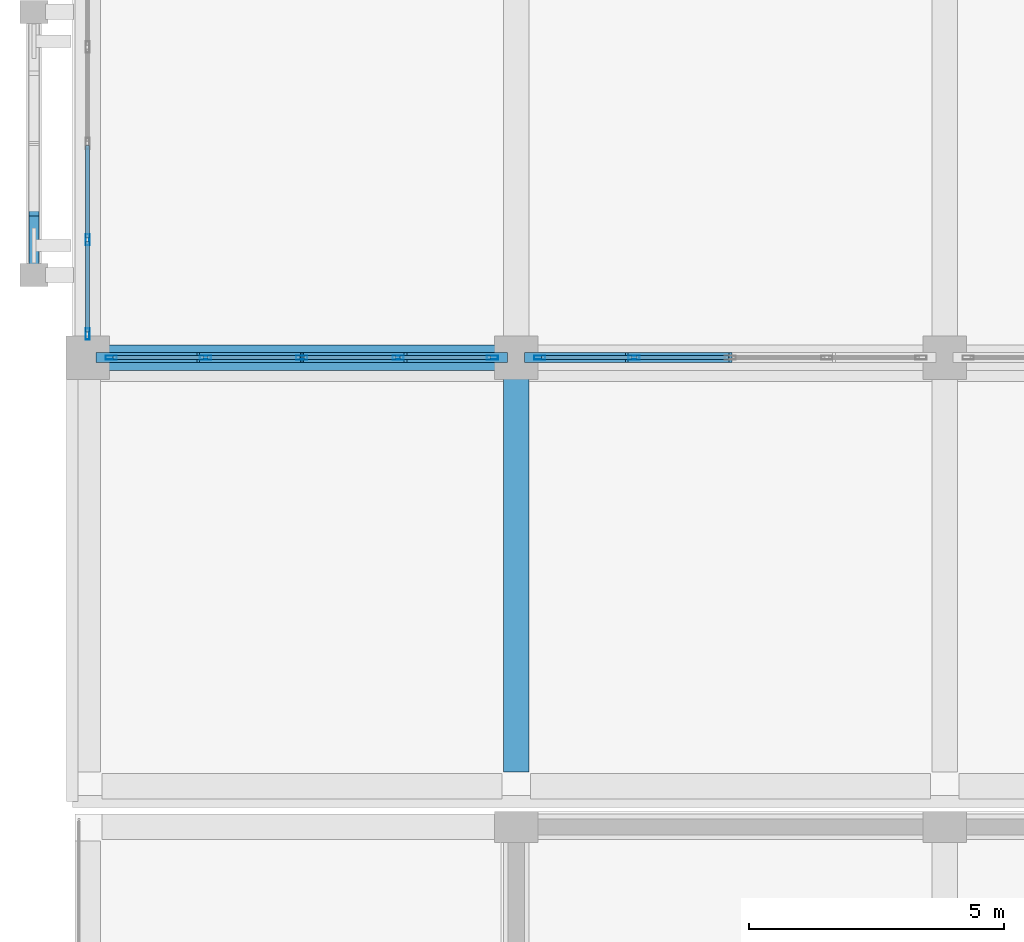
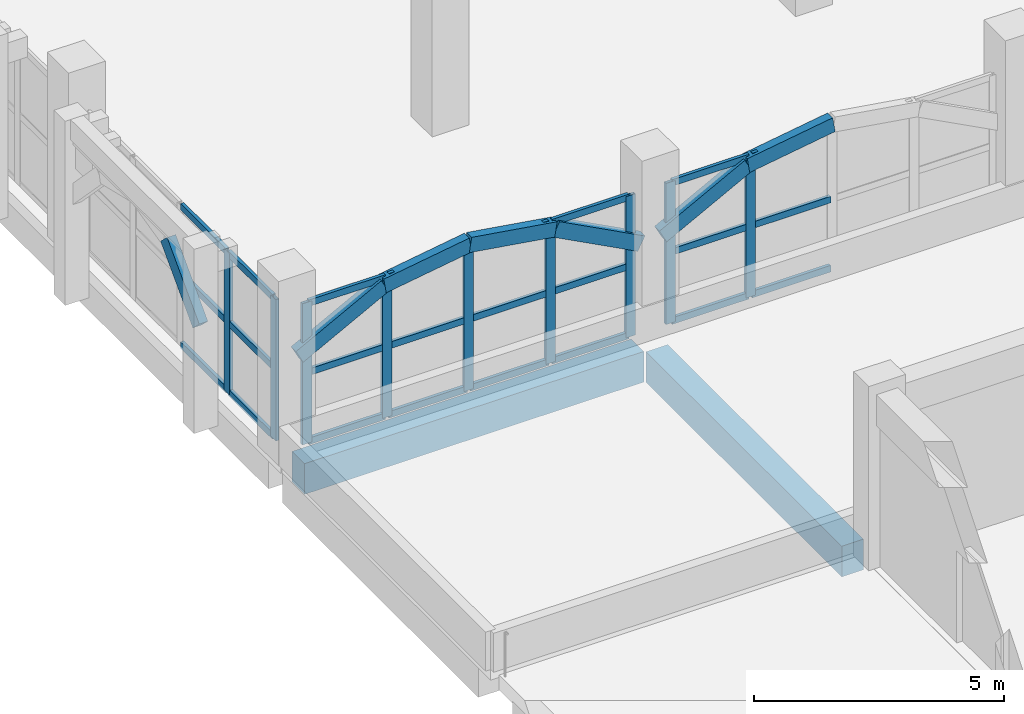
# One storey, part 14 of 129: 40 members, 2 beams, 3 elements without a shape of their own.
"""IFC4 building model written with IfcOpenShell, lengths in metres."""

from ifc_helpers import new_model, si_unit, direction, frame, origin, origin_2d, place, context, subcontext, project, spatial, rectangle, hollow_rectangle, extrude, material, layer, layer_set, material_profile, profile_set, type_object, element, aggregate, save


model = new_model("IFC4")

# Units and contexts
model_context = context("Model", 3, precision=1e-05, world=origin(), true_north=direction((0.0, 1.0)))
body_context = subcontext(model_context, "Body", "Model", "MODEL_VIEW")
ifc_project = project(units=[si_unit("LENGTHUNIT", "METRE"), si_unit("AREAUNIT", "SQUARE_METRE"), si_unit("VOLUMEUNIT", "CUBIC_METRE"), si_unit("PLANEANGLEUNIT", "RADIAN"), si_unit("MASSUNIT", "GRAM", prefix="KILO")], contexts=[model_context])

# Site, building, storey
site_placement = place(None, origin())
site = spatial("IfcSite", under=ifc_project, at=site_placement, CompositionType="ELEMENT")
building_placement = place(site_placement, origin())
building = spatial("IfcBuilding", under=site, at=building_placement, Name="Xazarin Passage Department Store", CompositionType="ELEMENT")
storey_placement = place(building_placement, frame((0.0, 0.0, 9.89990234375)))
storey = spatial("IfcBuildingStorey", under=building, at=storey_placement, Name="L02", CompositionType="ELEMENT", Elevation=9.89990234375)

# Curtain wall, members
ifc_material_1 = material(Name="Bronze anodised aluminium", Category="aluminium")
ifc_layer = layer(ifc_material_1, 0.199951171875)
ifc_layer_set = layer_set([ifc_layer], Name="Bronze anodised aluminium")
curtain_wall_type = type_object("IfcCurtainWallType", Name="ARC-CW-VIT2", PredefinedType="NOTDEFINED", material=ifc_layer_set)
curtain_wall_1_placement = place(storey_placement, origin())
curtain_wall_1 = element("IfcCurtainWall", 1, at=curtain_wall_1_placement, inside=storey, type_object=curtain_wall_type, Name="L02 V1 Curtain Wall 029", PredefinedType="NOTDEFINED")
ifc_material_profile_1 = material_profile(ifc_material_1, hollow_rectangle(XDim=0.074951171875, YDim=0.219970703125, WallThickness=0.0048828125, at=origin_2d()), Name="ALU 75x220")
ifc_profile_set_1 = profile_set([ifc_material_profile_1], Name="Bronze anodised aluminium")
member_type_1 = type_object("IfcMemberType", Name="ARC-CWM-75x220", PredefinedType="MULLION", material=ifc_profile_set_1)
member_1_placement = place(storey_placement, frame((0.46240234375, 59.60009765625, 0.0), z_axis=(0.0, 0.0, 1.0), x_axis=(0.0, 1.0, 0.0)))
member_1 = element("IfcMember", 2, at=member_1_placement, type_object=member_type_1, Name="CW2 mullion 1", PredefinedType="MULLION", context=body_context, shape_type="SweptSolid", body=[
    extrude(hollow_rectangle(XDim=0.074951171875, YDim=0.219970703125, WallThickness=0.0048828125, at=origin_2d()), origin(), (0.0, 0.0, 1.0), 3.4501953125),
])
member_2_placement = place(storey_placement, frame((2.3125, 59.60009765625, 0.0), z_axis=(0.0, 0.0, 1.0), x_axis=(0.0, 1.0, 0.0)))
member_2 = element("IfcMember", 3, at=member_2_placement, type_object=member_type_1, Name="CW2 mullion 2", PredefinedType="MULLION", context=body_context, shape_type="SweptSolid", body=[
    extrude(hollow_rectangle(XDim=0.074951171875, YDim=0.219970703125, WallThickness=0.0048828125, at=origin_2d()), origin(), (0.0, 0.0, 1.0), 3.4501953125),
])
member_3_placement = place(storey_placement, frame((4.199951171875, 59.60009765625, 0.0), z_axis=(0.0, 0.0, 1.0), x_axis=(0.0, 1.0, 0.0)))
member_3 = element("IfcMember", 4, at=member_3_placement, type_object=member_type_1, Name="CW2 mullion 3", PredefinedType="MULLION", context=body_context, shape_type="SweptSolid", body=[
    extrude(hollow_rectangle(XDim=0.074951171875, YDim=0.219970703125, WallThickness=0.0048828125, at=origin_2d()), origin(), (0.0, 0.0, 1.0), 3.4501953125),
])
member_4_placement = place(storey_placement, frame((6.08740234375, 59.60009765625, 0.0), z_axis=(0.0, 0.0, 1.0), x_axis=(0.0, 1.0, 0.0)))
member_4 = element("IfcMember", 5, at=member_4_placement, type_object=member_type_1, Name="CW2 mullion 4", PredefinedType="MULLION", context=body_context, shape_type="SweptSolid", body=[
    extrude(hollow_rectangle(XDim=0.074951171875, YDim=0.219970703125, WallThickness=0.0048828125, at=origin_2d()), origin(), (0.0, 0.0, 1.0), 3.4501953125),
])
member_5_placement = place(storey_placement, frame((7.9375, 59.60009765625, 0.0), z_axis=(0.0, 0.0, 1.0), x_axis=(0.0, 1.0, 0.0)))
member_5 = element("IfcMember", 6, at=member_5_placement, type_object=member_type_1, Name="CW2 mullion 5", PredefinedType="MULLION", context=body_context, shape_type="SweptSolid", body=[
    extrude(hollow_rectangle(XDim=0.074951171875, YDim=0.219970703125, WallThickness=0.0048828125, at=origin_2d()), origin(), (0.0, 0.0, 1.0), 3.4501953125),
])

curtain_wall_2_placement = place(storey_placement, origin())
curtain_wall_2 = element("IfcCurtainWall", 7, at=curtain_wall_2_placement, inside=storey, type_object=curtain_wall_type, Name="L02 V1 Curtain Wall 030", PredefinedType="NOTDEFINED")
member_6_placement = place(storey_placement, frame((8.862548828125, 59.60009765625, 0.0), z_axis=(0.0, 0.0, 1.0), x_axis=(0.0, 1.0, 0.0)))
member_6 = element("IfcMember", 8, at=member_6_placement, type_object=member_type_1, Name="CW2 mullion 1", PredefinedType="MULLION", context=body_context, shape_type="SweptSolid", body=[
    extrude(hollow_rectangle(XDim=0.074951171875, YDim=0.219970703125, WallThickness=0.0048828125, at=origin_2d()), origin(), (0.0, 0.0, 1.0), 3.4501953125),
])
member_7_placement = place(storey_placement, frame((10.71240234375, 59.60009765625, 0.0), z_axis=(0.0, 0.0, 1.0), x_axis=(0.0, 1.0, 0.0)))
member_7 = element("IfcMember", 9, at=member_7_placement, type_object=member_type_1, Name="CW2 mullion 2", PredefinedType="MULLION", context=body_context, shape_type="SweptSolid", body=[
    extrude(hollow_rectangle(XDim=0.074951171875, YDim=0.219970703125, WallThickness=0.0048828125, at=origin_2d()), origin(), (0.0, 0.0, 1.0), 3.4501953125),
])

curtain_wall_3_placement = place(storey_placement, origin())
curtain_wall_3 = element("IfcCurtainWall", 10, at=curtain_wall_3_placement, inside=storey, type_object=curtain_wall_type, Name="L02 V1 Curtain Wall 045", PredefinedType="NOTDEFINED")
member_8_placement = place(storey_placement, frame((0.0, 60.0625, 0.0), z_axis=(0.0, 0.0, 1.0), x_axis=(-1.0, 0.0, 0.0)))
member_8 = element("IfcMember", 11, at=member_8_placement, type_object=member_type_1, Name="CW2 mullion 1", PredefinedType="MULLION", context=body_context, shape_type="SweptSolid", body=[
    extrude(hollow_rectangle(XDim=0.074951171875, YDim=0.219970703125, WallThickness=0.0048828125, at=origin_2d()), origin(), (0.0, 0.0, 1.0), 3.4501953125),
])
member_9_placement = place(storey_placement, frame((0.0, 61.91259765625, 0.0), z_axis=(0.0, 0.0, 1.0), x_axis=(-1.0, 0.0, 0.0)))
member_9 = element("IfcMember", 12, at=member_9_placement, type_object=member_type_1, Name="CW2 mullion 2", PredefinedType="MULLION", context=body_context, shape_type="SweptSolid", body=[
    extrude(hollow_rectangle(XDim=0.074951171875, YDim=0.219970703125, WallThickness=0.0048828125, at=origin_2d()), origin(), (0.0, 0.0, 1.0), 3.4501953125),
])

# Member
ifc_material_profile_2 = material_profile(ifc_material_1, hollow_rectangle(XDim=0.074951171875, YDim=0.159912109375, WallThickness=0.00439453125, at=origin_2d()), Name="ALU 75x160")
ifc_profile_set_2 = profile_set([ifc_material_profile_2], Name="Bronze anodised aluminium")
member_type_2 = type_object("IfcMemberType", Name="ARC-CWT-75x160", PredefinedType="USERDEFINED", material=ifc_profile_set_2)
member_10_placement = place(storey_placement, frame((0.5, 59.60009765625, 0.03759765625), z_axis=(1.0, 0.0, 0.0), x_axis=(0.0, 1.0, 0.0)))
member_10 = element("IfcMember", 13, at=member_10_placement, type_object=member_type_2, Name="CW2 transom 1.1", ObjectType="TRANSOM", PredefinedType="USERDEFINED", context=body_context, shape_type="SweptSolid", body=[
    extrude(hollow_rectangle(XDim=0.074951171875, YDim=0.159912109375, WallThickness=0.00439453125, at=origin_2d()), origin(), (0.0, 0.0, 1.0), 1.77490234375),
])

member_11_placement = place(storey_placement, frame((0.5, 59.60009765625, 1.72509765625), z_axis=(1.0, 0.0, 0.0), x_axis=(0.0, 1.0, 0.0)))
member_11 = element("IfcMember", 14, at=member_11_placement, type_object=member_type_2, Name="CW2 transom 1.2", ObjectType="TRANSOM", PredefinedType="USERDEFINED", context=body_context, shape_type="SweptSolid", body=[
    extrude(hollow_rectangle(XDim=0.074951171875, YDim=0.159912109375, WallThickness=0.00439453125, at=origin_2d()), origin(), (0.0, 0.0, 1.0), 1.77490234375),
])

member_12_placement = place(storey_placement, frame((0.5, 59.60009765625, 3.41259765625), z_axis=(1.0, 0.0, 0.0), x_axis=(0.0, 1.0, 0.0)))
member_12 = element("IfcMember", 15, at=member_12_placement, type_object=member_type_2, Name="CW2 transom 1.3", ObjectType="TRANSOM", PredefinedType="USERDEFINED", context=body_context, shape_type="SweptSolid", body=[
    extrude(hollow_rectangle(XDim=0.074951171875, YDim=0.159912109375, WallThickness=0.00439453125, at=origin_2d()), origin(), (0.0, 0.0, 1.0), 1.77490234375),
])

member_13_placement = place(storey_placement, frame((2.35009765625, 59.60009765625, 0.03759765625), z_axis=(1.0, 0.0, 0.0), x_axis=(0.0, 1.0, 0.0)))
member_13 = element("IfcMember", 16, at=member_13_placement, type_object=member_type_2, Name="CW2 transom 2.1", ObjectType="TRANSOM", PredefinedType="USERDEFINED", context=body_context, shape_type="SweptSolid", body=[
    extrude(hollow_rectangle(XDim=0.074951171875, YDim=0.159912109375, WallThickness=0.00439453125, at=origin_2d()), origin(), (0.0, 0.0, 1.0), 1.8125),
])

member_14_placement = place(storey_placement, frame((2.35009765625, 59.60009765625, 1.72509765625), z_axis=(1.0, 0.0, 0.0), x_axis=(0.0, 1.0, 0.0)))
member_14 = element("IfcMember", 17, at=member_14_placement, type_object=member_type_2, Name="CW2 transom 2.2", ObjectType="TRANSOM", PredefinedType="USERDEFINED", context=body_context, shape_type="SweptSolid", body=[
    extrude(hollow_rectangle(XDim=0.074951171875, YDim=0.159912109375, WallThickness=0.00439453125, at=origin_2d()), origin(), (0.0, 0.0, 1.0), 1.8125),
])

member_15_placement = place(storey_placement, frame((2.35009765625, 59.60009765625, 3.41259765625), z_axis=(1.0, 0.0, 0.0), x_axis=(0.0, 1.0, 0.0)))
member_15 = element("IfcMember", 18, at=member_15_placement, type_object=member_type_2, Name="CW2 transom 2.3", ObjectType="TRANSOM", PredefinedType="USERDEFINED", context=body_context, shape_type="SweptSolid", body=[
    extrude(hollow_rectangle(XDim=0.074951171875, YDim=0.159912109375, WallThickness=0.00439453125, at=origin_2d()), origin(), (0.0, 0.0, 1.0), 1.8125),
])

member_16_placement = place(storey_placement, frame((4.237548828125, 59.60009765625, 0.03759765625), z_axis=(1.0, 0.0, 0.0), x_axis=(0.0, 1.0, 0.0)))
member_16 = element("IfcMember", 19, at=member_16_placement, type_object=member_type_2, Name="CW2 transom 3.1", ObjectType="TRANSOM", PredefinedType="USERDEFINED", context=body_context, shape_type="SweptSolid", body=[
    extrude(hollow_rectangle(XDim=0.074951171875, YDim=0.159912109375, WallThickness=0.00439453125, at=origin_2d()), origin(), (0.0, 0.0, 1.0), 1.8125),
])

member_17_placement = place(storey_placement, frame((4.237548828125, 59.60009765625, 1.72509765625), z_axis=(1.0, 0.0, 0.0), x_axis=(0.0, 1.0, 0.0)))
member_17 = element("IfcMember", 20, at=member_17_placement, type_object=member_type_2, Name="CW2 transom 3.2", ObjectType="TRANSOM", PredefinedType="USERDEFINED", context=body_context, shape_type="SweptSolid", body=[
    extrude(hollow_rectangle(XDim=0.074951171875, YDim=0.159912109375, WallThickness=0.00439453125, at=origin_2d()), origin(), (0.0, 0.0, 1.0), 1.8125),
])

member_18_placement = place(storey_placement, frame((4.237548828125, 59.60009765625, 3.41259765625), z_axis=(1.0, 0.0, 0.0), x_axis=(0.0, 1.0, 0.0)))
member_18 = element("IfcMember", 21, at=member_18_placement, type_object=member_type_2, Name="CW2 transom 3.3", ObjectType="TRANSOM", PredefinedType="USERDEFINED", context=body_context, shape_type="SweptSolid", body=[
    extrude(hollow_rectangle(XDim=0.074951171875, YDim=0.159912109375, WallThickness=0.00439453125, at=origin_2d()), origin(), (0.0, 0.0, 1.0), 1.8125),
])

member_19_placement = place(storey_placement, frame((6.125, 59.60009765625, 0.03759765625), z_axis=(1.0, 0.0, 0.0), x_axis=(0.0, 1.0, 0.0)))
member_19 = element("IfcMember", 22, at=member_19_placement, type_object=member_type_2, Name="CW2 transom 4.1", ObjectType="TRANSOM", PredefinedType="USERDEFINED", context=body_context, shape_type="SweptSolid", body=[
    extrude(hollow_rectangle(XDim=0.074951171875, YDim=0.159912109375, WallThickness=0.00439453125, at=origin_2d()), origin(), (0.0, 0.0, 1.0), 1.77490234375),
])

member_20_placement = place(storey_placement, frame((6.125, 59.60009765625, 1.72509765625), z_axis=(1.0, 0.0, 0.0), x_axis=(0.0, 1.0, 0.0)))
member_20 = element("IfcMember", 23, at=member_20_placement, type_object=member_type_2, Name="CW2 transom 4.2", ObjectType="TRANSOM", PredefinedType="USERDEFINED", context=body_context, shape_type="SweptSolid", body=[
    extrude(hollow_rectangle(XDim=0.074951171875, YDim=0.159912109375, WallThickness=0.00439453125, at=origin_2d()), origin(), (0.0, 0.0, 1.0), 1.77490234375),
])

member_21_placement = place(storey_placement, frame((6.125, 59.60009765625, 3.41259765625), z_axis=(1.0, 0.0, 0.0), x_axis=(0.0, 1.0, 0.0)))
member_21 = element("IfcMember", 24, at=member_21_placement, type_object=member_type_2, Name="CW2 transom 4.3", ObjectType="TRANSOM", PredefinedType="USERDEFINED", context=body_context, shape_type="SweptSolid", body=[
    extrude(hollow_rectangle(XDim=0.074951171875, YDim=0.159912109375, WallThickness=0.00439453125, at=origin_2d()), origin(), (0.0, 0.0, 1.0), 1.77490234375),
])

aggregate(curtain_wall_1, [member_1, member_2, member_3, member_4, member_5, member_10, member_11, member_12, member_13, member_14, member_15, member_16, member_17, member_18, member_19, member_20, member_21])

member_22_placement = place(storey_placement, frame((8.89990234375, 59.60009765625, 0.03759765625), z_axis=(1.0, 0.0, 0.0), x_axis=(0.0, 1.0, 0.0)))
member_22 = element("IfcMember", 25, at=member_22_placement, type_object=member_type_2, Name="CW2 transom 1.1", ObjectType="TRANSOM", PredefinedType="USERDEFINED", context=body_context, shape_type="SweptSolid", body=[
    extrude(hollow_rectangle(XDim=0.074951171875, YDim=0.159912109375, WallThickness=0.00439453125, at=origin_2d()), origin(), (0.0, 0.0, 1.0), 1.775146484375),
])

member_23_placement = place(storey_placement, frame((8.89990234375, 59.60009765625, 1.72509765625), z_axis=(1.0, 0.0, 0.0), x_axis=(0.0, 1.0, 0.0)))
member_23 = element("IfcMember", 26, at=member_23_placement, type_object=member_type_2, Name="CW2 transom 1.2", ObjectType="TRANSOM", PredefinedType="USERDEFINED", context=body_context, shape_type="SweptSolid", body=[
    extrude(hollow_rectangle(XDim=0.074951171875, YDim=0.159912109375, WallThickness=0.00439453125, at=origin_2d()), origin(), (0.0, 0.0, 1.0), 1.775146484375),
])

member_24_placement = place(storey_placement, frame((8.89990234375, 59.60009765625, 3.41259765625), z_axis=(1.0, 0.0, 0.0), x_axis=(0.0, 1.0, 0.0)))
member_24 = element("IfcMember", 27, at=member_24_placement, type_object=member_type_2, Name="CW2 transom 1.3", ObjectType="TRANSOM", PredefinedType="USERDEFINED", context=body_context, shape_type="SweptSolid", body=[
    extrude(hollow_rectangle(XDim=0.074951171875, YDim=0.159912109375, WallThickness=0.00439453125, at=origin_2d()), origin(), (0.0, 0.0, 1.0), 1.775146484375),
])

member_25_placement = place(storey_placement, frame((10.75, 59.60009765625, 0.03759765625), z_axis=(1.0, 0.0, 0.0), x_axis=(0.0, 1.0, 0.0)))
member_25 = element("IfcMember", 28, at=member_25_placement, type_object=member_type_2, Name="CW2 transom 2.1", ObjectType="TRANSOM", PredefinedType="USERDEFINED", context=body_context, shape_type="SweptSolid", body=[
    extrude(hollow_rectangle(XDim=0.074951171875, YDim=0.159912109375, WallThickness=0.00439453125, at=origin_2d()), origin(), (0.0, 0.0, 1.0), 1.8125),
])

member_26_placement = place(storey_placement, frame((10.75, 59.60009765625, 1.72509765625), z_axis=(1.0, 0.0, 0.0), x_axis=(0.0, 1.0, 0.0)))
member_26 = element("IfcMember", 29, at=member_26_placement, type_object=member_type_2, Name="CW2 transom 2.2", ObjectType="TRANSOM", PredefinedType="USERDEFINED", context=body_context, shape_type="SweptSolid", body=[
    extrude(hollow_rectangle(XDim=0.074951171875, YDim=0.159912109375, WallThickness=0.00439453125, at=origin_2d()), origin(), (0.0, 0.0, 1.0), 1.8125),
])

member_27_placement = place(storey_placement, frame((10.75, 59.60009765625, 3.41259765625), z_axis=(1.0, 0.0, 0.0), x_axis=(0.0, 1.0, 0.0)))
member_27 = element("IfcMember", 30, at=member_27_placement, type_object=member_type_2, Name="CW2 transom 2.3", ObjectType="TRANSOM", PredefinedType="USERDEFINED", context=body_context, shape_type="SweptSolid", body=[
    extrude(hollow_rectangle(XDim=0.074951171875, YDim=0.159912109375, WallThickness=0.00439453125, at=origin_2d()), origin(), (0.0, 0.0, 1.0), 1.8125),
])

aggregate(curtain_wall_2, [member_6, member_7, member_22, member_23, member_24, member_25, member_26, member_27])

member_28_placement = place(storey_placement, frame((0.0, 60.10009765625, 0.03759765625), z_axis=(0.0, 1.0, 0.0), x_axis=(-1.0, 0.0, 0.0)))
member_28 = element("IfcMember", 31, at=member_28_placement, type_object=member_type_2, Name="CW2 transom 1.1", ObjectType="TRANSOM", PredefinedType="USERDEFINED", context=body_context, shape_type="SweptSolid", body=[
    extrude(hollow_rectangle(XDim=0.074951171875, YDim=0.159912109375, WallThickness=0.00439453125, at=origin_2d()), origin(), (0.0, 0.0, 1.0), 1.77490234375),
])

member_29_placement = place(storey_placement, frame((0.0, 60.10009765625, 1.72509765625), z_axis=(0.0, 1.0, 0.0), x_axis=(-1.0, 0.0, 0.0)))
member_29 = element("IfcMember", 32, at=member_29_placement, type_object=member_type_2, Name="CW2 transom 1.2", ObjectType="TRANSOM", PredefinedType="USERDEFINED", context=body_context, shape_type="SweptSolid", body=[
    extrude(hollow_rectangle(XDim=0.074951171875, YDim=0.159912109375, WallThickness=0.00439453125, at=origin_2d()), origin(), (0.0, 0.0, 1.0), 1.77490234375),
])

member_30_placement = place(storey_placement, frame((0.0, 60.10009765625, 3.41259765625), z_axis=(0.0, 1.0, 0.0), x_axis=(-1.0, 0.0, 0.0)))
member_30 = element("IfcMember", 33, at=member_30_placement, type_object=member_type_2, Name="CW2 transom 1.3", ObjectType="TRANSOM", PredefinedType="USERDEFINED", context=body_context, shape_type="SweptSolid", body=[
    extrude(hollow_rectangle(XDim=0.074951171875, YDim=0.159912109375, WallThickness=0.00439453125, at=origin_2d()), origin(), (0.0, 0.0, 1.0), 1.77490234375),
])

member_31_placement = place(storey_placement, frame((0.0, 61.949951171875, 0.03759765625), z_axis=(0.0, 1.0, 0.0), x_axis=(-1.0, 0.0, 0.0)))
member_31 = element("IfcMember", 34, at=member_31_placement, type_object=member_type_2, Name="CW2 transom 2.1", ObjectType="TRANSOM", PredefinedType="USERDEFINED", context=body_context, shape_type="SweptSolid", body=[
    extrude(hollow_rectangle(XDim=0.074951171875, YDim=0.159912109375, WallThickness=0.00439453125, at=origin_2d()), origin(), (0.0, 0.0, 1.0), 1.8125),
])

member_32_placement = place(storey_placement, frame((0.0, 61.949951171875, 1.72509765625), z_axis=(0.0, 1.0, 0.0), x_axis=(-1.0, 0.0, 0.0)))
member_32 = element("IfcMember", 35, at=member_32_placement, type_object=member_type_2, Name="CW2 transom 2.2", ObjectType="TRANSOM", PredefinedType="USERDEFINED", context=body_context, shape_type="SweptSolid", body=[
    extrude(hollow_rectangle(XDim=0.074951171875, YDim=0.159912109375, WallThickness=0.00439453125, at=origin_2d()), origin(), (0.0, 0.0, 1.0), 1.8125),
])

member_33_placement = place(storey_placement, frame((0.0, 61.949951171875, 3.41259765625), z_axis=(0.0, 1.0, 0.0), x_axis=(-1.0, 0.0, 0.0)))
member_33 = element("IfcMember", 36, at=member_33_placement, type_object=member_type_2, Name="CW2 transom 2.3", ObjectType="TRANSOM", PredefinedType="USERDEFINED", context=body_context, shape_type="SweptSolid", body=[
    extrude(hollow_rectangle(XDim=0.074951171875, YDim=0.159912109375, WallThickness=0.00439453125, at=origin_2d()), origin(), (0.0, 0.0, 1.0), 1.8125),
])

aggregate(curtain_wall_3, [member_8, member_9, member_28, member_29, member_30, member_31, member_32, member_33])

# Beams
ifc_material_2 = material(Name="Concrete C35/45", Category="concrete")
ifc_material_profile_3 = material_profile(ifc_material_2, rectangle(XDim=0.5, YDim=0.75, at=origin_2d()), Name="RC 500x750")
ifc_profile_set_3 = profile_set([ifc_material_profile_3], Name="Concrete C35/45")
beam_type = type_object("IfcBeamType", Name="STR-BM-SP500x750", PredefinedType="SPANDREL", material=ifc_profile_set_3)
for number, where, z_axis, x_axis, name in (
    (37, (0.280029296875, 59.60009765625, -0.6748046875), (1.0, 0.0, 0.0), (0.0, 1.0, 0.0), "L02 Grid Beam J/1-2"),
    (38, (8.39990234375, 51.47998046875, -0.6748046875), (0.0, 1.0, 0.0), (-1.0, 0.0, 0.0), "L02 Grid Beam 2/H-J"),
):
    element("IfcBeam", number, at=place(storey_placement, frame(where, z_axis=z_axis, x_axis=x_axis)), inside=storey, type_object=beam_type, Name=name, PredefinedType="SPANDREL", context=body_context, shape_type="SweptSolid", body=[
        extrude(rectangle(XDim=0.5, YDim=0.75, at=origin_2d()), origin(), (0.0, 0.0, 1.0), 7.840087890625),
    ])

# Members
ifc_material_3 = material(Name="Concrete C40/50", Category="concrete")
ifc_material_profile_4 = material_profile(ifc_material_3, rectangle(XDim=0.199951171875, YDim=0.360107421875, at=origin_2d()), Name="RC 200x360")
ifc_profile_set_4 = profile_set([ifc_material_profile_4], Name="Concrete C40/50")
member_type_3 = type_object("IfcMemberType", Name="STR-MEM-ARC360", PredefinedType="CHORD", material=ifc_profile_set_4)
member_34_placement = place(storey_placement, frame((-1.050048828125, 61.219970703125, 2.43017578125), z_axis=(0.0, 0.693460080602, 0.720495049679), x_axis=(-1.0, 0.0, 0.0)))
element("IfcMember", 39, at=member_34_placement, inside=storey, type_object=member_type_3, Name="L02 V1 Pierced Lattice Curved Arch 009.1", PredefinedType="CHORD", context=body_context, shape_type="SweptSolid", body=[
    extrude(rectangle(XDim=0.199951171875, YDim=0.360107421875, at=origin_2d()), origin(), (0.0, 0.0, 1.0), 1.8603515625),
])
member_35_placement = place(storey_placement, frame((0.25, 59.60009765625, 2.22998046875), z_axis=(0.88473311603, 0.0, 0.466097965454), x_axis=(0.0, 1.0, 0.0)))
element("IfcMember", 40, at=member_35_placement, inside=storey, type_object=member_type_3, Name="L02 V1 Upper Setback Pierced Arch 003.1", PredefinedType="CHORD", context=body_context, shape_type="SweptSolid", body=[
    extrude(rectangle(XDim=0.199951171875, YDim=0.360107421875, at=origin_2d()), origin(), (0.0, 0.0, 1.0), 2.232421875),
])
member_36_placement = place(storey_placement, frame((2.22509765625, 59.60009765625, 3.2705078125), z_axis=(0.987935652704, 0.0, 0.154864928623), x_axis=(0.0, 1.0, 0.0)))
element("IfcMember", 41, at=member_36_placement, inside=storey, type_object=member_type_3, Name="L02 V1 Upper Setback Pierced Arch 003.2", PredefinedType="CHORD", context=body_context, shape_type="SweptSolid", body=[
    extrude(rectangle(XDim=0.199951171875, YDim=0.360107421875, at=origin_2d()), origin(), (0.0, 0.0, 1.0), 1.9990234375),
])
member_37_placement = place(storey_placement, frame((4.199951171875, 59.60009765625, 3.580078125), z_axis=(0.987938581312, 0.0, -0.154846244883), x_axis=(0.0, 1.0, 0.0)))
element("IfcMember", 42, at=member_37_placement, inside=storey, type_object=member_type_3, Name="L02 V1 Upper Setback Pierced Arch 003.3", PredefinedType="CHORD", context=body_context, shape_type="SweptSolid", body=[
    extrude(rectangle(XDim=0.199951171875, YDim=0.360107421875, at=origin_2d()), origin(), (0.0, 0.0, 1.0), 1.999267578125),
])
member_38_placement = place(storey_placement, frame((6.175048828125, 59.60009765625, 3.2705078125), z_axis=(0.884709354127, 0.0, -0.466143066793), x_axis=(0.0, 1.0, 0.0)))
element("IfcMember", 43, at=member_38_placement, inside=storey, type_object=member_type_3, Name="L02 V1 Upper Setback Pierced Arch 003.4", PredefinedType="CHORD", context=body_context, shape_type="SweptSolid", body=[
    extrude(rectangle(XDim=0.199951171875, YDim=0.360107421875, at=origin_2d()), origin(), (0.0, 0.0, 1.0), 2.232177734375),
])
member_39_placement = place(storey_placement, frame((8.64990234375, 59.60009765625, 2.22998046875), z_axis=(0.88473311603, 0.0, 0.466097965454), x_axis=(0.0, 1.0, 0.0)))
element("IfcMember", 44, at=member_39_placement, inside=storey, type_object=member_type_3, Name="L02 V1 Upper Setback Pierced Arch 004.1", PredefinedType="CHORD", context=body_context, shape_type="SweptSolid", body=[
    extrude(rectangle(XDim=0.199951171875, YDim=0.360107421875, at=origin_2d()), origin(), (0.0, 0.0, 1.0), 2.232421875),
])
member_40_placement = place(storey_placement, frame((10.625, 59.60009765625, 3.2705078125), z_axis=(0.987938581312, 0.0, 0.154846244883), x_axis=(0.0, 1.0, 0.0)))
element("IfcMember", 45, at=member_40_placement, inside=storey, type_object=member_type_3, Name="L02 V1 Upper Setback Pierced Arch 004.2", PredefinedType="CHORD", context=body_context, shape_type="SweptSolid", body=[
    extrude(rectangle(XDim=0.199951171875, YDim=0.360107421875, at=origin_2d()), origin(), (0.0, 0.0, 1.0), 1.999267578125),
])

save(model, "model.ifc")
